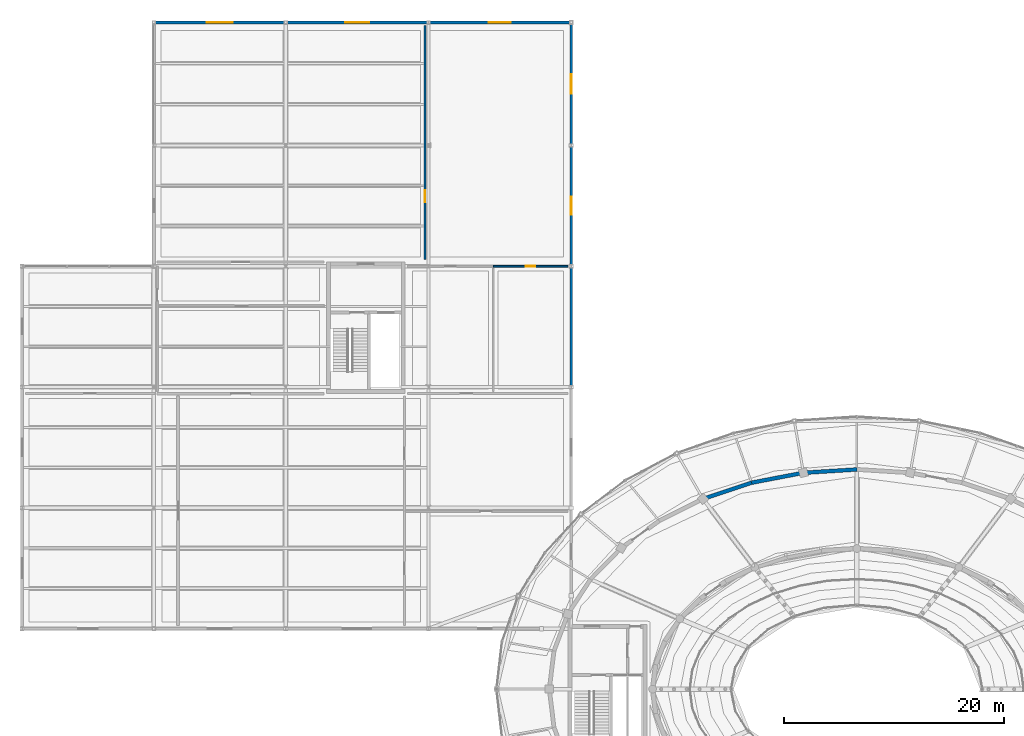
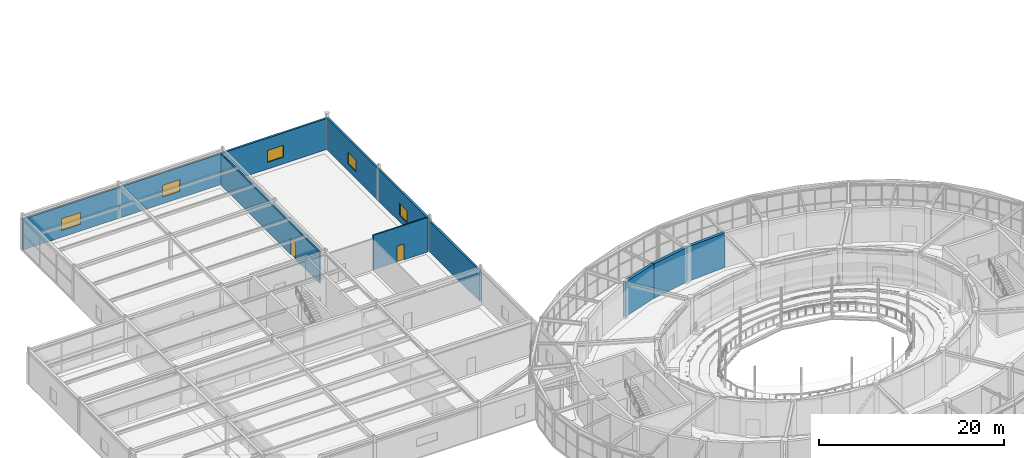
# One storey, part 92 of 108: 11 walls, 5 windows, 2 doors, 7 openings.
"""IFC4 building model written with IfcOpenShell, lengths in metres."""

from ifc_helpers import new_model, si_unit, direction, frame, frame_2d, origin, place, context, subcontext, project, spatial, rectangle, extrude, material, layer, layer_set, type_object, element, fill, save


model = new_model("IFC4")

# Units and contexts
model_context = context("Model", 3, precision=1e-05, world=origin(), true_north=direction((0.0, 1.0)))
body_context = subcontext(model_context, "Body", "Model", "MODEL_VIEW")
ifc_project = project(units=[si_unit("LENGTHUNIT", "METRE"), si_unit("AREAUNIT", "SQUARE_METRE"), si_unit("VOLUMEUNIT", "CUBIC_METRE"), si_unit("PLANEANGLEUNIT", "RADIAN"), si_unit("MASSUNIT", "GRAM", prefix="KILO")], contexts=[model_context])

# Site, building, storey
site_placement = place(None, origin())
site = spatial("IfcSite", under=ifc_project, at=site_placement, CompositionType="ELEMENT")
building_placement = place(site_placement, origin())
building = spatial("IfcBuilding", under=site, at=building_placement, Name="Tarnveldt Headland Concert Hall", CompositionType="ELEMENT")
storey_placement = place(building_placement, frame((0.0, 0.0, 9.60009765625)))
storey = spatial("IfcBuildingStorey", under=building, at=storey_placement, Name="L02", CompositionType="ELEMENT", Elevation=9.60009765625)

# Walls
ifc_material_1 = material(Name="Concrete C40/50", Category="concrete")
ifc_layer_1 = layer(ifc_material_1, 0.35009765625, Name="Concrete C40/50", Category="concrete")
ifc_layer_set_1 = layer_set([ifc_layer_1], Name="Concrete C40/50")
wall_type_1 = type_object("IfcWallType", Name="WL-CR350", PredefinedType="SHEAR", material=ifc_layer_set_1)
wall_1_placement = place(storey_placement, frame((83.5, 74.5, 0.0), z_axis=(0.0, 0.0, 1.0), x_axis=(-0.998054722924, -0.06234396562, 0.0)))
element("IfcWall", 1, at=wall_1_placement, inside=storey, type_object=wall_type_1, Name="Symphony drum shear wall L02-10", PredefinedType="SHEAR", context=body_context, shape_type="SweptSolid", body=[
    extrude(rectangle(XDim=4.87158203125, YDim=0.35009765625, at=frame_2d((2.435791015625, 0.0))), origin(), (0.0, 0.0, 1.0), 4.5498046875),
])
wall_2_placement = place(storey_placement, frame((78.637939453125, 74.1962890625, 0.0), z_axis=(0.0, 0.0, 1.0), x_axis=(-0.982172578083, -0.187981453503, 0.0)))
element("IfcWall", 2, at=wall_2_placement, inside=storey, type_object=wall_type_1, Name="Symphony drum shear wall L02-11", PredefinedType="SHEAR", context=body_context, shape_type="SweptSolid", body=[
    extrude(rectangle(XDim=4.80029296875, YDim=0.35009765625, at=frame_2d((2.400146484375, 0.0))), origin(), (0.0, 0.0, 1.0), 4.5498046875),
])
wall_3_placement = place(storey_placement, frame((73.92333984375, 73.2939453125, 0.0), z_axis=(0.0, 0.0, 1.0), x_axis=(-0.948751350732, -0.316023534699, 0.0)))
element("IfcWall", 3, at=wall_3_placement, inside=storey, type_object=wall_type_1, Name="Symphony drum shear wall L02-12", PredefinedType="SHEAR", context=body_context, shape_type="SweptSolid", body=[
    extrude(rectangle(XDim=4.662353515625, YDim=0.35009765625, at=frame_2d((2.3310546875, 0.0))), origin(), (0.0, 0.0, 1.0), 4.5498046875),
])
ifc_material_2 = material(Name="Coral-toned precast concrete C40/50", Category="concrete")
ifc_layer_2 = layer(ifc_material_2, 0.25, Name="Coral-toned precast concrete C40/50", Category="concrete")
ifc_layer_set_2 = layer_set([ifc_layer_2], Name="Coral-toned precast concrete C40/50")
wall_type_2 = type_object("IfcWallType", Name="WL-EX250", PredefinedType="SOLIDWALL", material=ifc_layer_set_2)
wall_4_placement = place(storey_placement, frame((57.5, 92.97998046875, 0.0), z_axis=(0.0, 0.0, 1.0), x_axis=(0.0, -1.0, 0.0)))
element("IfcWall", 4, at=wall_4_placement, inside=storey, type_object=wall_type_2, Name="External precast wall L02-302", PredefinedType="SOLIDWALL", context=body_context, shape_type="SweptSolid", body=[
    extrude(rectangle(XDim=10.9599609375, YDim=0.25, at=frame_2d((5.47998046875, 0.0))), origin(), (0.0, 0.0, 1.0), 4.02783203125),
])

# Wall, opening, window
wall_5_placement = place(storey_placement, frame((57.5, 103.97998046875, 0.0), z_axis=(0.0, 0.0, 1.0), x_axis=(0.0, -1.0, 0.0)))
wall_5 = element("IfcWall", 5, at=wall_5_placement, inside=storey, type_object=wall_type_2, Name="External precast wall L02-303", PredefinedType="SOLIDWALL", context=body_context, shape_type="SweptSolid", body=[
    extrude(rectangle(XDim=10.9599609375, YDim=0.25, at=frame_2d((5.47998046875, 0.0))), origin(), (0.0, 0.0, 1.0), 4.18994140625),
])
opening_1_placement = place(wall_5_placement, frame((4.655029296875, 0.0, 0.89990234375)))
opening_1 = element("IfcOpeningElement", 6, at=opening_1_placement, cuts=wall_5, Name="Opening W-R137", PredefinedType="OPENING", context=body_context, shape_type="SweptSolid", body=[
    extrude(rectangle(XDim=1.64990234375, YDim=1.550048828125, at=frame_2d((0.824951171875, 0.77490234375))), frame((0.0, 0.135009765625, 0.0), z_axis=(0.0, -1.0, 0.0), x_axis=(1.0, 0.0, 0.0)), (0.0, 0.0, 1.0), 0.27001953125),
])
ifc_material_3 = material(Name="Acoustic laminated low-iron double glazing", Category="glass")
window_type_1 = type_object("IfcWindowType", Name="WN-04", PartitioningType="SINGLE_PANEL", PredefinedType="WINDOW", material=ifc_material_3)
window_1_placement = place(opening_1_placement, origin())
window_1 = element("IfcWindow", 7, at=window_1_placement, inside=storey, type_object=window_type_1, Name="Rehearsal wing acoustic window L02-E4", OverallHeight=1.550048828125, OverallWidth=1.64990234375, PartitioningType="SINGLE_PANEL", PredefinedType="WINDOW", context=body_context, shape_type="SweptSolid", body=[
    extrude(rectangle(XDim=1.64990234375, YDim=1.550048828125, at=frame_2d((0.824951171875, 0.77490234375))), frame((0.0, 0.030029296875, 0.0), z_axis=(0.0, -1.0, 0.0), x_axis=(1.0, 0.0, 0.0)), (0.0, 0.0, 1.0), 0.06005859375),
])
fill(opening_1, window_1)

wall_6_placement = place(storey_placement, frame((57.5, 115.179931640625, 0.0), z_axis=(0.0, 0.0, 1.0), x_axis=(0.0, -1.0, 0.0)))
wall_6 = element("IfcWall", 8, at=wall_6_placement, inside=storey, type_object=wall_type_2, Name="External precast wall L02-304", PredefinedType="SOLIDWALL", context=body_context, shape_type="SweptSolid", body=[
    extrude(rectangle(XDim=11.159912109375, YDim=0.25, at=frame_2d((5.580078125, 0.0))), origin(), (0.0, 0.0, 1.0), 4.18994140625),
])
opening_2_placement = place(wall_6_placement, frame((4.679931640625, 0.0, 0.89990234375)))
opening_2 = element("IfcOpeningElement", 9, at=opening_2_placement, cuts=wall_6, Name="Opening W-R138", PredefinedType="OPENING", context=body_context, shape_type="SweptSolid", body=[
    extrude(rectangle(XDim=1.800048828125, YDim=1.550048828125, at=frame_2d((0.89990234375, 0.77490234375))), frame((0.0, 0.135009765625, 0.0), z_axis=(0.0, -1.0, 0.0), x_axis=(1.0, 0.0, 0.0)), (0.0, 0.0, 1.0), 0.27001953125),
])
window_type_2 = type_object("IfcWindowType", Name="WN-05", PartitioningType="SINGLE_PANEL", PredefinedType="WINDOW", material=ifc_material_3)
window_2_placement = place(opening_2_placement, origin())
window_2 = element("IfcWindow", 10, at=window_2_placement, inside=storey, type_object=window_type_2, Name="Rehearsal wing acoustic window L02-E5", OverallHeight=1.550048828125, OverallWidth=1.800048828125, PartitioningType="SINGLE_PANEL", PredefinedType="WINDOW", context=body_context, shape_type="SweptSolid", body=[
    extrude(rectangle(XDim=1.800048828125, YDim=1.550048828125, at=frame_2d((0.89990234375, 0.77490234375))), frame((0.0, 0.030029296875, 0.0), z_axis=(0.0, -1.0, 0.0), x_axis=(1.0, 0.0, 0.0)), (0.0, 0.0, 1.0), 0.06005859375),
])
fill(opening_2, window_2)

wall_7_placement = place(storey_placement, frame((44.52001953125, 115.199951171875, 0.0), z_axis=(0.0, 0.0, 1.0), x_axis=(1.0, 0.0, 0.0)))
wall_7 = element("IfcWall", 11, at=wall_7_placement, inside=storey, type_object=wall_type_2, Name="External precast wall L02-305", PredefinedType="SOLIDWALL", context=body_context, shape_type="SweptSolid", body=[
    extrude(rectangle(XDim=12.9599609375, YDim=0.25, at=frame_2d((6.47998046875, 0.0))), origin(), (0.0, 0.0, 1.0), 4.087890625),
])
opening_3_placement = place(wall_7_placement, frame((5.47998046875, 0.0, 0.89990234375)))
opening_3 = element("IfcOpeningElement", 12, at=opening_3_placement, cuts=wall_7, Name="Opening W-R139", PredefinedType="OPENING", context=body_context, shape_type="SweptSolid", body=[
    extrude(rectangle(XDim=2.0, YDim=1.550048828125, at=frame_2d((1.0, 0.77490234375))), frame((0.0, 0.135009765625, 0.0), z_axis=(0.0, -1.0, 0.0), x_axis=(1.0, 0.0, 0.0)), (0.0, 0.0, 1.0), 0.27001953125),
])
window_type_3 = type_object("IfcWindowType", Name="WN-06", PartitioningType="SINGLE_PANEL", PredefinedType="WINDOW", material=ifc_material_3)
window_3_placement = place(opening_3_placement, origin())
window_3 = element("IfcWindow", 13, at=window_3_placement, inside=storey, type_object=window_type_3, Name="Rehearsal wing acoustic window L02-N0", OverallHeight=1.550048828125, OverallWidth=2.0, PartitioningType="SINGLE_PANEL", PredefinedType="WINDOW", context=body_context, shape_type="SweptSolid", body=[
    extrude(rectangle(XDim=2.0, YDim=1.550048828125, at=frame_2d((1.0, 0.77490234375))), frame((0.0, 0.030029296875, 0.0), z_axis=(0.0, -1.0, 0.0), x_axis=(1.0, 0.0, 0.0)), (0.0, 0.0, 1.0), 0.06005859375),
])
fill(opening_3, window_3)

wall_8_placement = place(storey_placement, frame((31.52001953125, 115.199951171875, 0.0), z_axis=(0.0, 0.0, 1.0), x_axis=(1.0, 0.0, 0.0)))
wall_8 = element("IfcWall", 14, at=wall_8_placement, inside=storey, type_object=wall_type_2, Name="External precast wall L02-306", PredefinedType="SOLIDWALL", context=body_context, shape_type="SweptSolid", body=[
    extrude(rectangle(XDim=12.9599609375, YDim=0.25, at=frame_2d((6.47998046875, 0.0))), origin(), (0.0, 0.0, 1.0), 4.087890625),
])
opening_4_placement = place(wall_8_placement, frame((5.3798828125, 0.0, 0.89990234375)))
opening_4 = element("IfcOpeningElement", 15, at=opening_4_placement, cuts=wall_8, Name="Opening W-R140", PredefinedType="OPENING", context=body_context, shape_type="SweptSolid", body=[
    extrude(rectangle(XDim=2.199951171875, YDim=1.550048828125, at=frame_2d((1.10009765625, 0.77490234375))), frame((0.0, 0.135009765625, 0.0), z_axis=(0.0, -1.0, 0.0), x_axis=(1.0, 0.0, 0.0)), (0.0, 0.0, 1.0), 0.27001953125),
])
window_type_4 = type_object("IfcWindowType", Name="WN-07", PartitioningType="SINGLE_PANEL", PredefinedType="WINDOW", material=ifc_material_3)
window_4_placement = place(opening_4_placement, origin())
window_4 = element("IfcWindow", 16, at=window_4_placement, inside=storey, type_object=window_type_4, Name="Rehearsal wing acoustic window L02-N1", OverallHeight=1.550048828125, OverallWidth=2.199951171875, PartitioningType="SINGLE_PANEL", PredefinedType="WINDOW", context=body_context, shape_type="SweptSolid", body=[
    extrude(rectangle(XDim=2.199951171875, YDim=1.550048828125, at=frame_2d((1.10009765625, 0.77490234375))), frame((0.0, 0.030029296875, 0.0), z_axis=(0.0, -1.0, 0.0), x_axis=(1.0, 0.0, 0.0)), (0.0, 0.0, 1.0), 0.06005859375),
])
fill(opening_4, window_4)

wall_9_placement = place(storey_placement, frame((19.52001953125, 115.199951171875, 0.0), z_axis=(0.0, 0.0, 1.0), x_axis=(1.0, 0.0, 0.0)))
wall_9 = element("IfcWall", 17, at=wall_9_placement, inside=storey, type_object=wall_type_2, Name="External precast wall L02-307", PredefinedType="SOLIDWALL", context=body_context, shape_type="SweptSolid", body=[
    extrude(rectangle(XDim=11.9599609375, YDim=0.25, at=frame_2d((5.97998046875, 0.0))), origin(), (0.0, 0.0, 1.0), 4.087890625),
])
opening_5_placement = place(wall_9_placement, frame((4.780029296875, 0.0, 0.89990234375)))
opening_5 = element("IfcOpeningElement", 18, at=opening_5_placement, cuts=wall_9, Name="Opening W-R141", PredefinedType="OPENING", context=body_context, shape_type="SweptSolid", body=[
    extrude(rectangle(XDim=2.39990234375, YDim=1.550048828125, at=frame_2d((1.199951171875, 0.77490234375))), frame((0.0, 0.135009765625, 0.0), z_axis=(0.0, -1.0, 0.0), x_axis=(1.0, 0.0, 0.0)), (0.0, 0.0, 1.0), 0.27001953125),
])
window_type_5 = type_object("IfcWindowType", Name="WN-08", PartitioningType="SINGLE_PANEL", PredefinedType="WINDOW", material=ifc_material_3)
window_5_placement = place(opening_5_placement, origin())
window_5 = element("IfcWindow", 19, at=window_5_placement, inside=storey, type_object=window_type_5, Name="Rehearsal wing acoustic window L02-N2", OverallHeight=1.550048828125, OverallWidth=2.39990234375, PartitioningType="SINGLE_PANEL", PredefinedType="WINDOW", context=body_context, shape_type="SweptSolid", body=[
    extrude(rectangle(XDim=2.39990234375, YDim=1.550048828125, at=frame_2d((1.199951171875, 0.77490234375))), frame((0.0, 0.030029296875, 0.0), z_axis=(0.0, -1.0, 0.0), x_axis=(1.0, 0.0, 0.0)), (0.0, 0.0, 1.0), 0.06005859375),
])
fill(opening_5, window_5)

# Wall, opening, door
ifc_material_4 = material(Name="Acoustic multi-layer gypsum and mineral-wool partition", Category="gypsum")
ifc_layer_3 = layer(ifc_material_4, 0.1650390625, Name="Acoustic multi-layer gypsum and mineral-wool partition", Category="gypsum")
ifc_layer_set_3 = layer_set([ifc_layer_3], Name="Acoustic multi-layer gypsum and mineral-wool partition")
wall_type_3 = type_object("IfcWallType", Name="WL-PT165", PredefinedType="PARTITIONING", material=ifc_layer_set_3)
wall_10_placement = place(storey_placement, frame((50.39990234375, 93.0, 0.0), z_axis=(0.0, 0.0, 1.0), x_axis=(1.0, 0.0, 0.0)))
wall_10 = element("IfcWall", 20, at=wall_10_placement, inside=storey, type_object=wall_type_3, Name="Interior acoustic partition L02-97", PredefinedType="PARTITIONING", context=body_context, shape_type="SweptSolid", body=[
    extrude(rectangle(XDim=6.800048828125, YDim=0.1650390625, at=frame_2d((3.39990234375, 0.0))), origin(), (0.0, 0.0, 1.0), 4.5439453125),
])
opening_6_placement = place(wall_10_placement, frame((2.9599609375, 0.0, 0.0)))
opening_6 = element("IfcOpeningElement", 21, at=opening_6_placement, cuts=wall_10, Name="Opening D-L02-119", PredefinedType="OPENING", context=body_context, shape_type="SweptSolid", body=[
    extrude(rectangle(XDim=0.8798828125, YDim=2.10009765625, at=frame_2d((0.43994140625, 1.050048828125))), frame((0.0, 0.092529296875, 0.0), z_axis=(0.0, -1.0, 0.0), x_axis=(1.0, 0.0, 0.0)), (0.0, 0.0, 1.0), 0.18505859375),
])
ifc_material_5 = material(Name="Treated East African mvule hardwood", Category="wood")
door_type_1 = type_object("IfcDoorType", Name="DR-WC088", OperationType="NOTDEFINED", PredefinedType="DOOR", material=ifc_material_5)
door_1_placement = place(opening_6_placement, origin())
door_1 = element("IfcDoor", 22, at=door_1_placement, inside=storey, type_object=door_type_1, Name="Interior room door L02-119", OperationType="SINGLE_SWING_LEFT", OverallHeight=2.10009765625, OverallWidth=0.8798828125, PredefinedType="DOOR", context=body_context, shape_type="SweptSolid", body=[
    extrude(rectangle(XDim=0.8798828125, YDim=2.10009765625, at=frame_2d((0.43994140625, 1.050048828125))), frame((0.0, 0.02490234375, 0.0), z_axis=(0.0, -1.0, 0.0), x_axis=(1.0, 0.0, 0.0)), (0.0, 0.0, 1.0), 0.050048828125),
])
fill(opening_6, door_1)

ifc_layer_4 = layer(ifc_material_4, 0.18505859375, Name="Acoustic multi-layer gypsum and mineral-wool partition", Category="gypsum")
ifc_layer_set_4 = layer_set([ifc_layer_4], Name="Acoustic multi-layer gypsum and mineral-wool partition")
wall_type_4 = type_object("IfcWallType", Name="WL-PT185", PredefinedType="PARTITIONING", material=ifc_layer_set_4)
wall_11_placement = place(storey_placement, frame((44.199951171875, 93.60009765625, 0.0), z_axis=(0.0, 0.0, 1.0), x_axis=(0.0, 1.0, 0.0)))
wall_11 = element("IfcWall", 23, at=wall_11_placement, inside=storey, type_object=wall_type_4, Name="Interior acoustic partition L02-100", PredefinedType="PARTITIONING", context=body_context, shape_type="SweptSolid", body=[
    extrude(rectangle(XDim=21.2998046875, YDim=0.18505859375, at=frame_2d((10.64990234375, 0.0))), origin(), (0.0, 0.0, 1.0), 4.08984375),
])
opening_7_placement = place(wall_11_placement, frame((5.22998046875, 0.0, 0.0)))
opening_7 = element("IfcOpeningElement", 24, at=opening_7_placement, cuts=wall_11, Name="Opening D-L02-121", PredefinedType="OPENING", context=body_context, shape_type="SweptSolid", body=[
    extrude(rectangle(XDim=1.10009765625, YDim=2.14990234375, at=frame_2d((0.550048828125, 1.074951171875))), frame((0.0, 0.1025390625, 0.0), z_axis=(0.0, -1.0, 0.0), x_axis=(1.0, 0.0, 0.0)), (0.0, 0.0, 1.0), 0.205078125),
])
door_type_2 = type_object("IfcDoorType", Name="DR-RM110", OperationType="NOTDEFINED", PredefinedType="DOOR", material=ifc_material_5)
door_2_placement = place(opening_7_placement, origin())
door_2 = element("IfcDoor", 25, at=door_2_placement, inside=storey, type_object=door_type_2, Name="Interior room door L02-121", OperationType="SINGLE_SWING_LEFT", OverallHeight=2.14990234375, OverallWidth=1.10009765625, PredefinedType="DOOR", context=body_context, shape_type="SweptSolid", body=[
    extrude(rectangle(XDim=1.10009765625, YDim=2.14990234375, at=frame_2d((0.550048828125, 1.074951171875))), frame((0.0, 0.02490234375, 0.0), z_axis=(0.0, -1.0, 0.0), x_axis=(1.0, 0.0, 0.0)), (0.0, 0.0, 1.0), 0.050048828125),
])
fill(opening_7, door_2)

save(model, "model.ifc")
